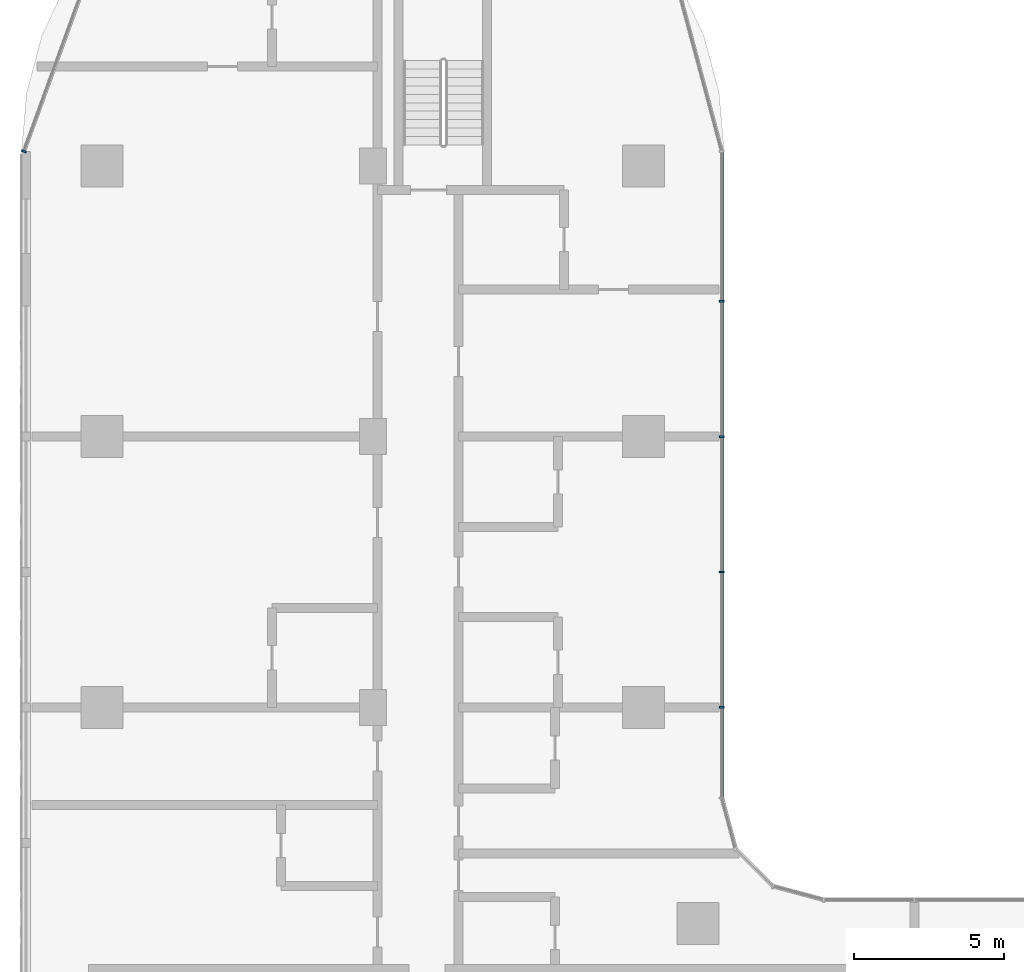
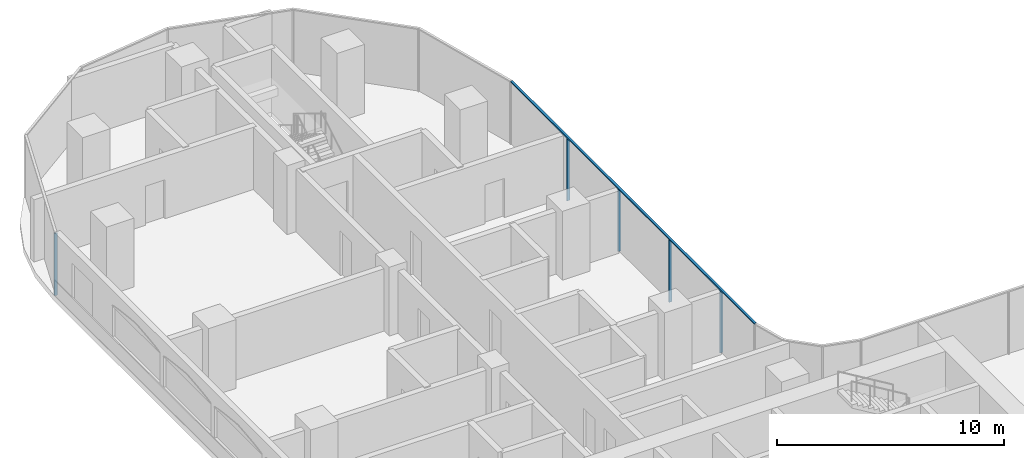
# One storey, part 6 of 34: 6 members, 2 elements without a shape of their own.
"""IFC4 building model written with IfcOpenShell, lengths in metres."""

from ifc_helpers import new_model, si_unit, direction, frame, origin, origin_2d, place, context, subcontext, project, spatial, rectangle, extrude, material, material_profile, profile_set, type_object, element, aggregate, save


model = new_model("IFC4")

# Units and contexts
model_context = context("Model", 3, precision=1e-05, world=origin(), true_north=direction((0.0, 1.0)))
body_context = subcontext(model_context, "Body", "Model", "MODEL_VIEW")
ifc_project = project(units=[si_unit("LENGTHUNIT", "METRE"), si_unit("AREAUNIT", "SQUARE_METRE"), si_unit("VOLUMEUNIT", "CUBIC_METRE"), si_unit("PLANEANGLEUNIT", "RADIAN"), si_unit("MASSUNIT", "GRAM", prefix="KILO")], contexts=[model_context])

# Site, building, storey
site_placement = place(None, origin())
site = spatial("IfcSite", under=ifc_project, at=site_placement, CompositionType="ELEMENT")
building_placement = place(site_placement, origin())
building = spatial("IfcBuilding", under=site, at=building_placement, Name="Ogive Portal Towers", CompositionType="ELEMENT")
storey_placement = place(building_placement, frame((0.0, 0.0, 66.800048828125)))
storey = spatial("IfcBuildingStorey", under=building, at=storey_placement, Name="L15", CompositionType="ELEMENT", Elevation=66.800048828125)

# Curtain wall, members
ifc_material_1 = material(Name="Glass, clear low-iron insulated glazing", Category="glass")
curtain_wall_type = type_object("IfcCurtainWallType", Name="CW FRONT RIBBON 4500", PredefinedType="NOTDEFINED", material=ifc_material_1)
curtain_wall_1_placement = place(storey_placement, origin())
curtain_wall_1 = element("IfcCurtainWall", 1, at=curtain_wall_1_placement, inside=storey, type_object=curtain_wall_type, Name="A:L15:f20:cw0", PredefinedType="NOTDEFINED")
ifc_material_2 = material(Name="Aluminium 6063 anodised", Category="aluminium")
ifc_material_profile_1 = material_profile(ifc_material_2, rectangle(XDim=0.159912109375, YDim=0.06005859375, at=origin_2d()), Name="AL 60x160")
ifc_profile_set_1 = profile_set([ifc_material_profile_1], Name="Aluminium 6063 anodised")
member_type_1 = type_object("IfcMemberType", Name="CW MULLION 60x160", PredefinedType="MULLION", material=ifc_profile_set_1)
member_1_placement = place(storey_placement, frame((52.10009765625, 48.5, 0.0), z_axis=(0.0, 0.0, 1.0), x_axis=(-1.0, 0.0, 0.0)))
member_1 = element("IfcMember", 2, at=member_1_placement, type_object=member_type_1, Name="mullion", PredefinedType="MULLION", context=body_context, shape_type="SweptSolid", body=[
    extrude(rectangle(XDim=0.159912109375, YDim=0.06005859375, at=origin_2d()), origin(), (0.0, 0.0, 1.0), 3.33984375),
])
member_2_placement = place(storey_placement, frame((52.10009765625, 53.0, 0.0), z_axis=(0.0, 0.0, 1.0), x_axis=(-1.0, 0.0, 0.0)))
member_2 = element("IfcMember", 3, at=member_2_placement, type_object=member_type_1, Name="mullion", PredefinedType="MULLION", context=body_context, shape_type="SweptSolid", body=[
    extrude(rectangle(XDim=0.159912109375, YDim=0.06005859375, at=origin_2d()), origin(), (0.0, 0.0, 1.0), 3.33984375),
])
member_3_placement = place(storey_placement, frame((52.10009765625, 57.5, 0.0), z_axis=(0.0, 0.0, 1.0), x_axis=(-1.0, 0.0, 0.0)))
member_3 = element("IfcMember", 4, at=member_3_placement, type_object=member_type_1, Name="mullion", PredefinedType="MULLION", context=body_context, shape_type="SweptSolid", body=[
    extrude(rectangle(XDim=0.159912109375, YDim=0.06005859375, at=origin_2d()), origin(), (0.0, 0.0, 1.0), 3.33984375),
])
member_4_placement = place(storey_placement, frame((52.10009765625, 62.0, 0.0), z_axis=(0.0, 0.0, 1.0), x_axis=(-1.0, 0.0, 0.0)))
member_4 = element("IfcMember", 5, at=member_4_placement, type_object=member_type_1, Name="mullion", PredefinedType="MULLION", context=body_context, shape_type="SweptSolid", body=[
    extrude(rectangle(XDim=0.159912109375, YDim=0.06005859375, at=origin_2d()), origin(), (0.0, 0.0, 1.0), 3.33984375),
])

# Curtain wall, member
curtain_wall_2_placement = place(storey_placement, origin())
curtain_wall_2 = element("IfcCurtainWall", 6, at=curtain_wall_2_placement, inside=storey, type_object=curtain_wall_type, Name="A:L15:f21:cwa", PredefinedType="NOTDEFINED")
member_5_placement = place(storey_placement, frame((28.89990234375, 66.98583984375, 0.0), z_axis=(0.0, 0.0, 1.0), x_axis=(0.939692620786, -0.342020143326, 0.0)))
member_5 = element("IfcMember", 7, at=member_5_placement, type_object=member_type_1, Name="mullion", PredefinedType="MULLION", context=body_context, shape_type="SweptSolid", body=[
    extrude(rectangle(XDim=0.159912109375, YDim=0.06005859375, at=origin_2d()), origin(), (0.0, 0.0, 1.0), 3.33984375),
])
aggregate(curtain_wall_2, [member_5])

# Member
ifc_material_profile_2 = material_profile(ifc_material_2, rectangle(XDim=0.1201171875, YDim=0.06005859375, at=origin_2d()), Name="AL 120x60")
ifc_profile_set_2 = profile_set([ifc_material_profile_2], Name="Aluminium 6063 anodised")
member_type_2 = type_object("IfcMemberType", Name="CW TRANSOM 60x120", PredefinedType="USERDEFINED", material=ifc_profile_set_2)
member_6_placement = place(storey_placement, frame((52.10009765625, 45.489501953125, 3.369873046875), z_axis=(0.0, 1.0, 0.0), x_axis=(-1.0, 0.0, 0.0)))
member_6 = element("IfcMember", 8, at=member_6_placement, type_object=member_type_2, Name="transom", ObjectType="TRANSOM", PredefinedType="USERDEFINED", context=body_context, shape_type="SweptSolid", body=[
    extrude(rectangle(XDim=0.1201171875, YDim=0.06005859375, at=origin_2d()), origin(), (0.0, 0.0, 1.0), 21.5),
])

aggregate(curtain_wall_1, [member_6, member_1, member_2, member_3, member_4])

save(model, "model.ifc")
